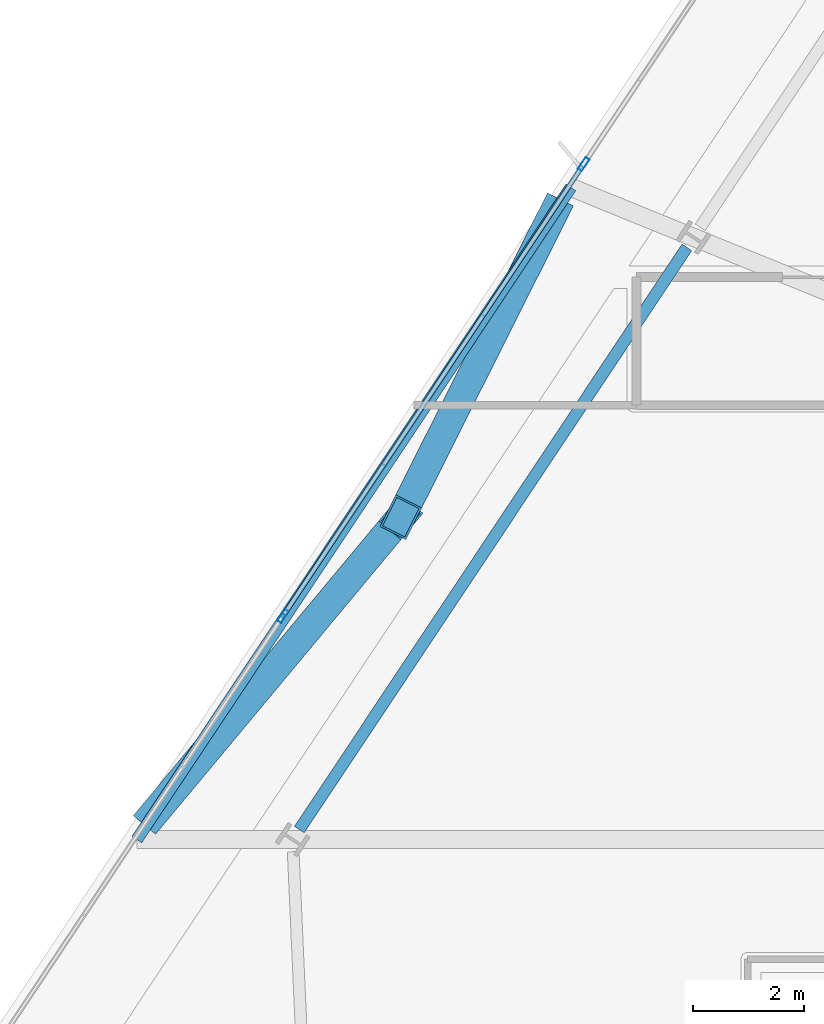
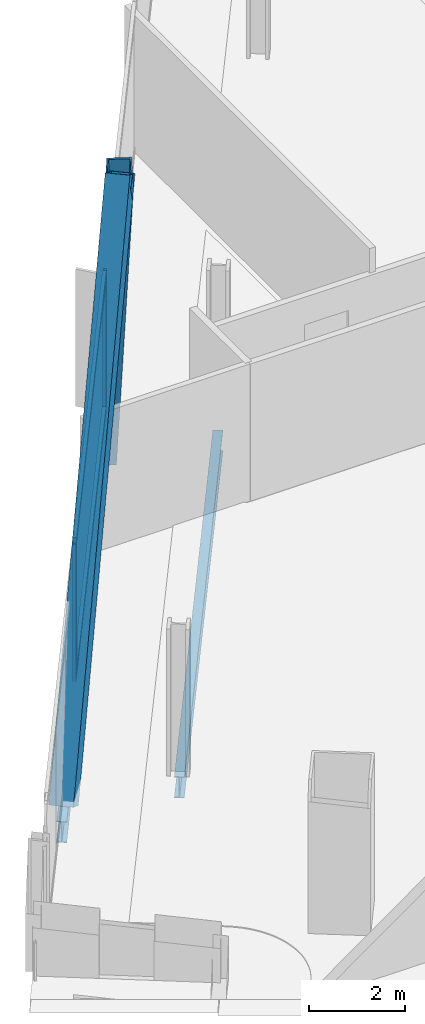
# One storey, part 14 of 32: 6 members, 2 beams, 1 element without a shape of its own.
"""IFC4 building model written with IfcOpenShell, lengths in metres."""

from ifc_helpers import new_model, si_unit, direction, frame, origin, origin_2d, place, context, subcontext, project, spatial, hollow_rectangle, i_section, extrude, material, material_profile, profile_set, type_object, element, aggregate, save


model = new_model("IFC4")

# Units and contexts
model_context = context("Model", 3, precision=1e-05, world=origin(), true_north=direction((0.0, 1.0)))
body_context = subcontext(model_context, "Body", "Model", "MODEL_VIEW")
ifc_project = project(units=[si_unit("LENGTHUNIT", "METRE"), si_unit("AREAUNIT", "SQUARE_METRE"), si_unit("VOLUMEUNIT", "CUBIC_METRE"), si_unit("PLANEANGLEUNIT", "RADIAN"), si_unit("MASSUNIT", "GRAM", prefix="KILO")], contexts=[model_context])

# Site, building, storey
site_placement = place(None, origin())
site = spatial("IfcSite", under=ifc_project, at=site_placement, CompositionType="ELEMENT")
building_placement = place(site_placement, origin())
building = spatial("IfcBuilding", under=site, at=building_placement, Name="Haldenkirk Collegiate Tower", CompositionType="ELEMENT")
storey_placement = place(building_placement, frame((0.0, 0.0, 217.199951171875)))
storey = spatial("IfcBuildingStorey", under=building, at=storey_placement, Name="L54", CompositionType="ELEMENT", Elevation=217.199951171875)

# Beams
ifc_material_1 = material(Name="Steel ASTM A992 Grade 50", Category="steel")
ifc_material_profile_1 = material_profile(ifc_material_1, i_section(OverallWidth=0.2099609375, OverallDepth=0.537109375, WebThickness=0.010986328125, FlangeThickness=0.017333984375, at=origin_2d()), Name="W21X68")
ifc_profile_set_1 = profile_set([ifc_material_profile_1], Name="Steel ASTM A992 Grade 50")
beam_type = type_object("IfcBeamType", Name="BM-SPANDREL-W21X68", PredefinedType="SPANDREL", material=ifc_profile_set_1)
beam_1_placement = place(storey_placement, frame((19.106201171875, 36.98486328125, -0.54833984375), z_axis=(-0.554117024454, -0.832438780458, 0.0), x_axis=(0.832438780458, -0.554117024454, 0.0)))
element("IfcBeam", 1, at=beam_1_placement, inside=storey, type_object=beam_type, Name="L54 perimeter spandrel beam 11", PredefinedType="SPANDREL", context=body_context, shape_type="SweptSolid", body=[
    extrude(i_section(OverallWidth=0.2099609375, OverallDepth=0.537109375, WebThickness=0.010986328125, FlangeThickness=0.017333984375, at=origin_2d()), origin(), (0.0, 0.0, 1.0), 12.562255859375),
])
beam_2_placement = place(storey_placement, frame((17.0244140625, 38.062255859375, -0.54833984375), z_axis=(-0.554123582189, -0.832434415232, 0.0), x_axis=(0.832434415232, -0.554123582189, 0.0)))
element("IfcBeam", 2, at=beam_2_placement, inside=storey, type_object=beam_type, Name="L54 outer facade edge beam 3", PredefinedType="SPANDREL", context=body_context, shape_type="SweptSolid", body=[
    extrude(i_section(OverallWidth=0.2099609375, OverallDepth=0.537109375, WebThickness=0.010986328125, FlangeThickness=0.017333984375, at=origin_2d()), origin(), (0.0, 0.0, 1.0), 14.0732421875),
])

# Curtain wall, members
ifc_material_2 = material(Name="Anodised architectural bronze aluminium", Category="aluminium")
curtain_wall_type = type_object("IfcCurtainWallType", Name="CW-SYS1B-CONVEX-HI", PredefinedType="USERDEFINED", material=ifc_material_2)
curtain_wall_placement = place(storey_placement, origin())
curtain_wall = element("IfcCurtainWall", 3, at=curtain_wall_placement, inside=storey, type_object=curtain_wall_type, Name="L54 Upper tower high-wind convex bronze unitised curtain wall", ObjectType="UNITISED CURTAIN WALL", PredefinedType="USERDEFINED")
ifc_material_profile_2 = material_profile(ifc_material_2, hollow_rectangle(XDim=0.0849609375, YDim=0.25, WallThickness=0.0048828125, at=origin_2d()), Name="CW-MUL-1B")
ifc_profile_set_2 = profile_set([ifc_material_profile_2], Name="Anodised architectural bronze aluminium")
member_type_1 = type_object("IfcMemberType", Name="CW-MUL-1B", PredefinedType="MULLION", material=ifc_profile_set_2)
member_1_placement = place(storey_placement, frame((11.850830078125, 30.362548828125, 0.0), z_axis=(0.0, 0.0, 1.0), x_axis=(-0.832437073465, 0.554119588827, 0.0)))
member_1 = element("IfcMember", 4, at=member_1_placement, type_object=member_type_1, Name="CW-1B mullion 2", PredefinedType="MULLION", context=body_context, shape_type="SweptSolid", body=[
    extrude(hollow_rectangle(XDim=0.0849609375, YDim=0.25, WallThickness=0.0048828125, at=origin_2d()), origin(), (0.0, 0.0, 1.0), 3.469970703125),
])
member_2_placement = place(storey_placement, frame((17.25341796875, 38.478759765625, 0.0), z_axis=(0.0, 0.0, 1.0), x_axis=(-0.832437073465, 0.554119588827, 0.0)))
member_2 = element("IfcMember", 5, at=member_2_placement, type_object=member_type_1, Name="CW-1B mullion 3", PredefinedType="MULLION", context=body_context, shape_type="SweptSolid", body=[
    extrude(hollow_rectangle(XDim=0.0849609375, YDim=0.25, WallThickness=0.0048828125, at=origin_2d()), origin(), (0.0, 0.0, 1.0), 3.469970703125),
])
ifc_material_profile_3 = material_profile(ifc_material_2, hollow_rectangle(XDim=0.0849609375, YDim=0.199951171875, WallThickness=0.0048828125, at=origin_2d()), Name="CW-TRN-1B")
ifc_profile_set_3 = profile_set([ifc_material_profile_3], Name="Anodised architectural bronze aluminium")
member_type_2 = type_object("IfcMemberType", Name="CW-TRN-1B", PredefinedType="USERDEFINED", material=ifc_profile_set_3)
member_3_placement = place(storey_placement, frame((11.874267578125, 30.39794921875, 0.04248046875), z_axis=(0.554134626625, 0.832427063217, 0.0), x_axis=(-0.832427063217, 0.554134626625, 0.0)))
member_3 = element("IfcMember", 6, at=member_3_placement, type_object=member_type_2, Name="CW-1B transom 2.1", ObjectType="TRANSOM", PredefinedType="USERDEFINED", context=body_context, shape_type="SweptSolid", body=[
    extrude(hollow_rectangle(XDim=0.0849609375, YDim=0.199951171875, WallThickness=0.0048828125, at=origin_2d()), origin(), (0.0, 0.0, 1.0), 9.6650390625),
])
member_4_placement = place(storey_placement, frame((11.874267578125, 30.39794921875, 3.427490234375), z_axis=(0.554134626625, 0.832427063217, 0.0), x_axis=(-0.832427063217, 0.554134626625, 0.0)))
member_4 = element("IfcMember", 7, at=member_4_placement, type_object=member_type_2, Name="CW-1B transom 2.2", ObjectType="TRANSOM", PredefinedType="USERDEFINED", context=body_context, shape_type="SweptSolid", body=[
    extrude(hollow_rectangle(XDim=0.0849609375, YDim=0.199951171875, WallThickness=0.0048828125, at=origin_2d()), origin(), (0.0, 0.0, 1.0), 9.6650390625),
])
aggregate(curtain_wall, [member_1, member_2, member_3, member_4])

# Members
ifc_material_3 = material(Name="Steel ASTM A572 Grade 50", Category="steel")
ifc_material_profile_4 = material_profile(ifc_material_3, hollow_rectangle(XDim=0.52001953125, YDim=0.719970703125, WallThickness=0.035888671875, at=origin_2d()), Name="BOX720X520X36")
ifc_profile_set_4 = profile_set([ifc_material_profile_4], Name="Steel ASTM A572 Grade 50")
member_type_3 = type_object("IfcMemberType", Name="MBR-MEGABRACE-BOX720X520X36", PredefinedType="BRACE", material=ifc_profile_set_4)
member_5_placement = place(storey_placement, frame((16.69189453125, 37.562744140625, -0.2900390625), z_axis=(-0.213063158452, -0.424216293072, 0.880138981754), x_axis=(0.893621041522, -0.448822274569, 0.0)))
element("IfcMember", 8, at=member_5_placement, inside=storey, type_object=member_type_3, Name="Perimeter Mega Brace Z4 L54-L56 NL", PredefinedType="BRACE", context=body_context, shape_type="SweptSolid", body=[
    extrude(hollow_rectangle(XDim=0.52001953125, YDim=0.719970703125, WallThickness=0.035888671875, at=origin_2d()), origin(), (0.0, 0.0, 1.0), 12.781982421875),
])
member_6_placement = place(storey_placement, frame((9.55859375, 26.8466796875, -0.2900390625), z_axis=(0.33428278344, 0.401276288176, 0.852779198411), x_axis=(-0.768328734406, 0.640055431886, 0.0)))
element("IfcMember", 9, at=member_6_placement, inside=storey, type_object=member_type_3, Name="Perimeter Mega Brace Z4 L54-L56 NR", PredefinedType="BRACE", context=body_context, shape_type="SweptSolid", body=[
    extrude(hollow_rectangle(XDim=0.52001953125, YDim=0.719970703125, WallThickness=0.035888671875, at=origin_2d()), origin(), (0.0, 0.0, 1.0), 13.192138671875),
])

save(model, "model.ifc")
